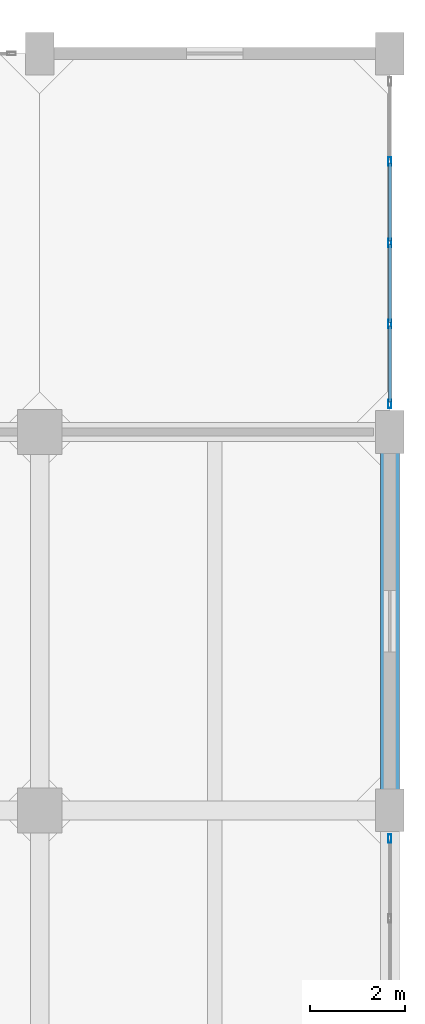
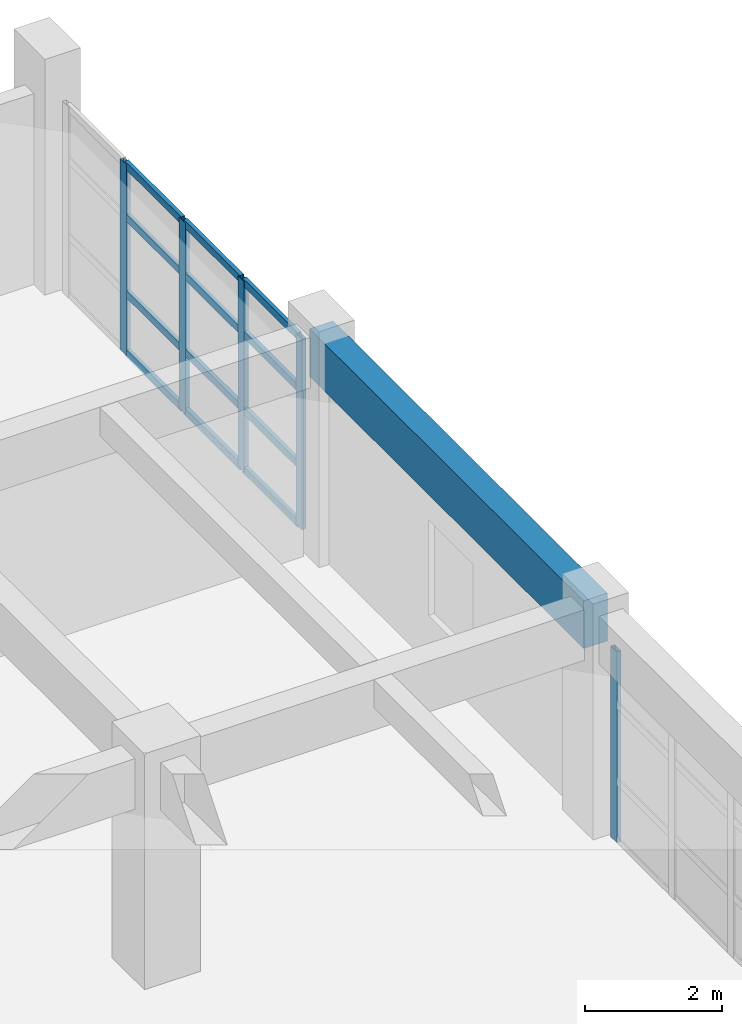
# One storey, part 19 of 35: 17 members, 1 beam, 2 elements without a shape of their own.
"""IFC4 building model written with IfcOpenShell, lengths in metres."""

import ifcopenshell
import ifcopenshell.guid

model = None  # the IFC model being written
_history = None  # IfcOwnerHistory: only IFC2X3 demands one
_inside = {}  # id of a spatial element -> (the spatial element, [elements in it])
_under = {}  # id of a project, library or spatial element -> (it, [spatial elements below it])
_declared = {}  # id of a project -> (the project, [libraries it declares])
_typed = {}  # id of a type object -> (the type object, [elements of that type])
_made_of = {}  # id of a material, layer set ... -> (it, [elements and type objects made of it])


def new_model(schema):
    """Start an empty IFC model of exactly this schema.

    Asked for "IFC4X3", IfcOpenShell would pick the latest addendum, in which some entities
    have other attributes; the version numbers below select the first issue.
    IFC2X3 requires an IfcOwnerHistory on every rooted entity: one is made here for all.
    """
    global model, _history
    if schema == "IFC4X3":
        model = ifcopenshell.file(schema_version=(4, 3, 0, 0))
    else:
        model = ifcopenshell.file(schema=schema)
    _inside.clear()
    _under.clear()
    _declared.clear()
    _typed.clear()
    _made_of.clear()
    _history = None
    if model.schema == "IFC2X3":
        org = make("IfcOrganization", Name="unknown")
        user = make(
            "IfcPersonAndOrganization",
            ThePerson=make("IfcPerson", FamilyName="unknown"),
            TheOrganization=org,
        )
        app = make(
            "IfcApplication",
            ApplicationDeveloper=org,
            Version="unknown",
            ApplicationFullName="unknown",
            ApplicationIdentifier="unknown",
        )
        _history = make(
            "IfcOwnerHistory",
            OwningUser=user,
            OwningApplication=app,
            ChangeAction="ADDED",
            CreationDate=0,
        )
    return model


def make(cls, **values):
    """One entity of the class cls with the attributes given. An attribute that is None is left unset."""
    return model.create_entity(
        cls, **{name: value for name, value in values.items() if value is not None}
    )


def rooted(cls, **values):
    """An entity with a GlobalId (a new one), such as an element, a storey or a relation."""
    return make(cls, GlobalId=ifcopenshell.guid.new(), OwnerHistory=_history, **values)


def si_unit(unit_type, name, prefix=None):
    """IfcSIUnit, for example si_unit("LENGTHUNIT", "METRE", prefix="MILLI")."""
    return make("IfcSIUnit", UnitType=unit_type, Prefix=prefix, Name=name)


def assignment(units):
    """IfcUnitAssignment: the units of a project."""
    return None if units is None else make("IfcUnitAssignment", Units=units)


def point(xyz):
    """IfcCartesianPoint."""
    return None if xyz is None else make("IfcCartesianPoint", Coordinates=xyz)


def direction(xyz):
    """IfcDirection."""
    return None if xyz is None else make("IfcDirection", DirectionRatios=xyz)


def frame(location, z_axis=None, x_axis=None):
    """IfcAxis2Placement3D, a coordinate frame: its origin and axes. An axis left out is left unset."""
    return make(
        "IfcAxis2Placement3D",
        Location=point(location),
        Axis=direction(z_axis),
        RefDirection=direction(x_axis),
    )


def frame_2d(location, x_axis=None):
    """IfcAxis2Placement2D, a coordinate frame in the plane: its origin and x axis."""
    return make(
        "IfcAxis2Placement2D", Location=point(location), RefDirection=direction(x_axis)
    )


def origin():
    """The frame at (0, 0, 0) with its axes left unset."""
    return frame((0.0, 0.0, 0.0))


def origin_2d():
    """The frame at (0, 0) in the plane with its x axis left unset."""
    return frame_2d((0.0, 0.0))


def place(relative_to, where):
    """IfcLocalPlacement: puts the frame where relative to a parent placement (None: the world)."""
    return make(
        "IfcLocalPlacement", PlacementRelTo=relative_to, RelativePlacement=where
    )


def context(
    kind, dimensions, precision=None, world=None, true_north=None, identifier=None
):
    """IfcGeometricRepresentationContext, for example the 3D "Model" context."""
    return make(
        "IfcGeometricRepresentationContext",
        ContextIdentifier=identifier,
        ContextType=kind,
        CoordinateSpaceDimension=dimensions,
        Precision=precision,
        WorldCoordinateSystem=world,
        TrueNorth=true_north,
    )


def subcontext(parent, identifier, kind, view, scale=None):
    """IfcGeometricRepresentationSubContext, for example "Body" below "Model"."""
    return make(
        "IfcGeometricRepresentationSubContext",
        ContextIdentifier=identifier,
        ContextType=kind,
        ParentContext=parent,
        TargetScale=scale,
        TargetView=view,
    )


def project(units=None, contexts=None):
    """IfcProject with its units and contexts."""
    return rooted(
        "IfcProject",
        Name="project",
        RepresentationContexts=contexts,
        UnitsInContext=assignment(units),
    )


def spatial(cls, under=None, at=None, **own):
    """A site, building, storey or space (cls), placed at a placement, below another one or the project."""
    s = rooted(cls, ObjectPlacement=at, **own)
    if under is not None:
        _under.setdefault(under.id(), (under, []))[1].append(s)
    return s


def profile(cls, at=None, kind="AREA", **sizes):
    """A parametric profile (cls). Its sizes go by their IFC names, for example OverallWidth=200.0."""
    return make(cls, ProfileType=kind, Position=at, **sizes)


def rectangle(**sizes):
    """IfcRectangleProfileDef."""
    return profile("IfcRectangleProfileDef", **sizes)


def hollow_rectangle(**sizes):
    """IfcRectangleHollowProfileDef."""
    return profile("IfcRectangleHollowProfileDef", **sizes)


def extrude(swept, where, along, depth):
    """IfcExtrudedAreaSolid: the profile swept, set in the frame where, extruded along a direction by depth."""
    return make(
        "IfcExtrudedAreaSolid",
        SweptArea=swept,
        Position=where,
        ExtrudedDirection=direction(along),
        Depth=depth,
    )


def shape(context_of_items, identifier, shape_type, items):
    """IfcShapeRepresentation: the items that make up one representation, for example the "Body"."""
    return make(
        "IfcShapeRepresentation",
        ContextOfItems=context_of_items,
        RepresentationIdentifier=identifier,
        RepresentationType=shape_type,
        Items=items,
    )


def material(Name=None, Category=None):
    """IfcMaterial."""
    return make("IfcMaterial", Name=Name, Category=Category)


def layer(
    of_material, thickness, ventilated=None, Name=None, Category=None, Priority=None
):
    """IfcMaterialLayer: one layer of a wall or slab, of a material (None: an air gap)."""
    return make(
        "IfcMaterialLayer",
        Material=of_material,
        LayerThickness=thickness,
        IsVentilated=ventilated,
        Name=Name,
        Category=Category,
        Priority=Priority,
    )


def layer_set(layers, Name=None):
    """IfcMaterialLayerSet."""
    return make("IfcMaterialLayerSet", MaterialLayers=layers, LayerSetName=Name)


def material_profile(
    of_material, cross_section, Name=None, Category=None, Priority=None
):
    """IfcMaterialProfile: a cross section and its material."""
    return make(
        "IfcMaterialProfile",
        Name=Name,
        Material=of_material,
        Profile=cross_section,
        Priority=Priority,
        Category=Category,
    )


def profile_set(profiles, Name=None, composite=None):
    """IfcMaterialProfileSet."""
    return make(
        "IfcMaterialProfileSet",
        Name=Name,
        MaterialProfiles=profiles,
        CompositeProfile=composite,
    )


def made_of(thing, what):
    """Note that an element or type object is made of a material, layer set ...; save() writes the relation."""
    if what is not None:
        _made_of.setdefault(what.id(), (what, []))[1].append(thing)
    return thing


def type_object(cls, material=None, **own):
    """A type object (cls), such as IfcWallType, which elements share."""
    return made_of(rooted(cls, **own), material)


def element(
    cls,
    number,
    at=None,
    inside=None,
    cuts=None,
    type_object=None,
    material=None,
    context=None,
    identifier="Body",
    shape_type=None,
    held_by="IfcProductDefinitionShape",
    body=None,
    shapes=None,
    **own,
):
    """One element of the class cls, such as IfcWall. Its Tag is "e" and its number.

    at: its placement. inside: the storey or other place that contains it. cuts: it is an
    opening in that element (IfcRelVoidsElement). A single representation is given by context,
    identifier, shape_type and body (its items); several are given by shapes. held_by: the class
    of the entity that holds the representations. save() writes the other relations.
    """
    e = rooted(cls, Tag="e%d" % number, ObjectPlacement=at, **own)
    if body is not None:
        shapes = [shape(context, identifier, shape_type, body)]
    if shapes is not None:
        e.Representation = make(held_by, Representations=shapes)
    if inside is not None:
        _inside.setdefault(inside.id(), (inside, []))[1].append(e)
    if cuts is not None:
        rooted(
            "IfcRelVoidsElement", RelatingBuildingElement=cuts, RelatedOpeningElement=e
        )
    if type_object is not None:
        _typed.setdefault(type_object.id(), (type_object, []))[1].append(e)
    return made_of(e, material)


def aggregate(whole, parts):
    """IfcRelAggregates: a whole, such as a stair, and the parts it consists of."""
    return rooted("IfcRelAggregates", RelatingObject=whole, RelatedObjects=parts)


def save(model, path):
    """Write the relations noted so far, then the file.

    IfcRelAggregates (storeys below a building ...), IfcRelContainedInSpatialStructure (elements
    in a storey), IfcRelDefinesByType, IfcRelAssociatesMaterial and IfcRelDeclares: one each for
    every whole, place, type object, material and project.
    """
    for whole, parts in _under.values():
        aggregate(whole, parts)
    for where, things in _inside.values():
        rooted(
            "IfcRelContainedInSpatialStructure",
            RelatedElements=things,
            RelatingStructure=where,
        )
    for kind, things in _typed.values():
        rooted("IfcRelDefinesByType", RelatedObjects=things, RelatingType=kind)
    for what, things in _made_of.values():
        rooted("IfcRelAssociatesMaterial", RelatedObjects=things, RelatingMaterial=what)
    for by, libraries in _declared.values():
        rooted("IfcRelDeclares", RelatingContext=by, RelatedDefinitions=libraries)
    model.write(path)


model = new_model("IFC4")

# Units and contexts
model_context = context("Model", 3, precision=1e-05, world=origin(), true_north=direction((0.0, 1.0)))
body_context = subcontext(model_context, "Body", "Model", "MODEL_VIEW")
ifc_project = project(units=[si_unit("LENGTHUNIT", "METRE"), si_unit("AREAUNIT", "SQUARE_METRE"), si_unit("VOLUMEUNIT", "CUBIC_METRE"), si_unit("PLANEANGLEUNIT", "RADIAN"), si_unit("MASSUNIT", "GRAM", prefix="KILO")], contexts=[model_context])

# Site, building, storey
site_placement = place(None, origin())
site = spatial("IfcSite", under=ifc_project, at=site_placement, CompositionType="ELEMENT")
building_placement = place(site_placement, origin())
building = spatial("IfcBuilding", under=site, at=building_placement, Name="Canggui Botanical Conservatory", CompositionType="ELEMENT")
storey_placement = place(building_placement, frame((0.0, 0.0, 15.0)))
storey = spatial("IfcBuildingStorey", under=building, at=storey_placement, Name="L04", CompositionType="ELEMENT", Elevation=15.0)

# Beam
ifc_material_1 = material(Name="Concrete C35", Category="concrete")
ifc_material_profile_1 = material_profile(ifc_material_1, rectangle(XDim=0.39990234375, YDim=0.85009765625, at=origin_2d()), Name="RB 400x850")
ifc_profile_set_1 = profile_set([ifc_material_profile_1], Name="Concrete C35")
beam_type = type_object("IfcBeamType", Name="BM-KL08", PredefinedType="BEAM", material=ifc_profile_set_1)
beam_placement = place(storey_placement, frame((177.39990234375, 66.0, 3.52490234375), z_axis=(0.0, 1.0, 0.0), x_axis=(-1.0, 0.0, 0.0)))
element("IfcBeam", 1, at=beam_placement, inside=storey, type_object=beam_type, Name="Frame Girder L04 X178-6", PredefinedType="BEAM", context=body_context, shape_type="SweptSolid", body=[
    extrude(rectangle(XDim=0.39990234375, YDim=0.85009765625, at=origin_2d()), origin(), (0.0, 0.0, 1.0), 8.0),
])

# Curtain wall, members
ifc_material_2 = material(Name="Thermally Broken Aluminium", Category="aluminium")
ifc_layer = layer(ifc_material_2, 0.179931640625, Name="Thermally Broken Aluminium", Category="aluminium")
ifc_layer_set = layer_set([ifc_layer], Name="Thermally Broken Aluminium")
curtain_wall_type = type_object("IfcCurtainWallType", Name="CW-UNIT-A", PredefinedType="USERDEFINED", material=ifc_layer_set)
curtain_wall_1_placement = place(storey_placement, origin())
curtain_wall_1 = element("IfcCurtainWall", 2, at=curtain_wall_1_placement, inside=storey, type_object=curtain_wall_type, Name="Facade Curtain Wall CW-TWR-L04-18", ObjectType="UNITISED CURTAIN WALL", PredefinedType="USERDEFINED")
ifc_material_profile_2 = material_profile(ifc_material_2, hollow_rectangle(XDim=0.070068359375, YDim=0.179931640625, WallThickness=0.00390625, at=origin_2d()), Name="CWM 70x180x4")
ifc_profile_set_2 = profile_set([ifc_material_profile_2], Name="Thermally Broken Aluminium")
member_type_1 = type_object("IfcMemberType", Name="CWM-01", PredefinedType="MULLION", material=ifc_profile_set_2)
member_1_placement = place(storey_placement, frame((177.39990234375, 79.719970703125, 0.0), z_axis=(0.0, 0.0, 1.0), x_axis=(1.0, 0.0, 0.0)))
member_1 = element("IfcMember", 3, at=member_1_placement, type_object=member_type_1, Name="CW-01 mullion 2", PredefinedType="MULLION", context=body_context, shape_type="SweptSolid", body=[
    extrude(hollow_rectangle(XDim=0.070068359375, YDim=0.179931640625, WallThickness=0.00390625, at=origin_2d()), origin(), (0.0, 0.0, 1.0), 3.39990234375),
])
member_2_placement = place(storey_placement, frame((177.39990234375, 78.0, 0.0), z_axis=(0.0, 0.0, 1.0), x_axis=(1.0, 0.0, 0.0)))
member_2 = element("IfcMember", 4, at=member_2_placement, type_object=member_type_1, Name="CW-01 mullion 3", PredefinedType="MULLION", context=body_context, shape_type="SweptSolid", body=[
    extrude(hollow_rectangle(XDim=0.070068359375, YDim=0.179931640625, WallThickness=0.00390625, at=origin_2d()), origin(), (0.0, 0.0, 1.0), 3.39990234375),
])
member_3_placement = place(storey_placement, frame((177.39990234375, 76.280029296875, 0.0), z_axis=(0.0, 0.0, 1.0), x_axis=(1.0, 0.0, 0.0)))
member_3 = element("IfcMember", 5, at=member_3_placement, type_object=member_type_1, Name="CW-01 mullion 4", PredefinedType="MULLION", context=body_context, shape_type="SweptSolid", body=[
    extrude(hollow_rectangle(XDim=0.070068359375, YDim=0.179931640625, WallThickness=0.00390625, at=origin_2d()), origin(), (0.0, 0.0, 1.0), 3.39990234375),
])
member_4_placement = place(storey_placement, frame((177.39990234375, 74.594970703125, 0.0), z_axis=(0.0, 0.0, 1.0), x_axis=(1.0, 0.0, 0.0)))
member_4 = element("IfcMember", 6, at=member_4_placement, type_object=member_type_1, Name="CW-01 mullion 5", PredefinedType="MULLION", context=body_context, shape_type="SweptSolid", body=[
    extrude(hollow_rectangle(XDim=0.070068359375, YDim=0.179931640625, WallThickness=0.00390625, at=origin_2d()), origin(), (0.0, 0.0, 1.0), 3.39990234375),
])

# Curtain wall, member
curtain_wall_2_placement = place(storey_placement, origin())
curtain_wall_2 = element("IfcCurtainWall", 7, at=curtain_wall_2_placement, inside=storey, type_object=curtain_wall_type, Name="Facade Curtain Wall CW-TWR-L04-20", ObjectType="UNITISED CURTAIN WALL", PredefinedType="USERDEFINED")
member_5_placement = place(storey_placement, frame((177.39990234375, 65.405029296875, 0.0), z_axis=(0.0, 0.0, 1.0), x_axis=(1.0, 0.0, 0.0)))
member_5 = element("IfcMember", 8, at=member_5_placement, type_object=member_type_1, Name="CW-01 mullion 1", PredefinedType="MULLION", context=body_context, shape_type="SweptSolid", body=[
    extrude(hollow_rectangle(XDim=0.070068359375, YDim=0.179931640625, WallThickness=0.00390625, at=origin_2d()), origin(), (0.0, 0.0, 1.0), 3.39990234375),
])
aggregate(curtain_wall_2, [member_5])

# Member
ifc_material_profile_3 = material_profile(ifc_material_2, hollow_rectangle(XDim=0.06494140625, YDim=0.1298828125, WallThickness=0.00341796875, at=origin_2d()), Name="CWT 65x130x3.5")
ifc_profile_set_3 = profile_set([ifc_material_profile_3], Name="Thermally Broken Aluminium")
member_type_2 = type_object("IfcMemberType", Name="CWT-01", PredefinedType="USERDEFINED", material=ifc_profile_set_3)
member_6_placement = place(storey_placement, frame((177.39990234375, 79.68505859375, 0.032470703125), z_axis=(0.0, -1.0, 0.0), x_axis=(1.0, 0.0, 0.0)))
member_6 = element("IfcMember", 9, at=member_6_placement, type_object=member_type_2, Name="CW-01 transom 2.1", ObjectType="TRANSOM", PredefinedType="USERDEFINED", context=body_context, shape_type="SweptSolid", body=[
    extrude(hollow_rectangle(XDim=0.06494140625, YDim=0.1298828125, WallThickness=0.00341796875, at=origin_2d()), origin(), (0.0, 0.0, 1.0), 1.650146484375),
])

member_7_placement = place(storey_placement, frame((177.39990234375, 79.68505859375, 1.087890625), z_axis=(0.0, -1.0, 0.0), x_axis=(1.0, 0.0, 0.0)))
member_7 = element("IfcMember", 10, at=member_7_placement, type_object=member_type_2, Name="CW-01 transom 2.2", ObjectType="TRANSOM", PredefinedType="USERDEFINED", context=body_context, shape_type="SweptSolid", body=[
    extrude(hollow_rectangle(XDim=0.06494140625, YDim=0.1298828125, WallThickness=0.00341796875, at=origin_2d()), origin(), (0.0, 0.0, 1.0), 1.650146484375),
])

member_8_placement = place(storey_placement, frame((177.39990234375, 79.68505859375, 2.447998046875), z_axis=(0.0, -1.0, 0.0), x_axis=(1.0, 0.0, 0.0)))
member_8 = element("IfcMember", 11, at=member_8_placement, type_object=member_type_2, Name="CW-01 transom 2.3", ObjectType="TRANSOM", PredefinedType="USERDEFINED", context=body_context, shape_type="SweptSolid", body=[
    extrude(hollow_rectangle(XDim=0.06494140625, YDim=0.1298828125, WallThickness=0.00341796875, at=origin_2d()), origin(), (0.0, 0.0, 1.0), 1.650146484375),
])

member_9_placement = place(storey_placement, frame((177.39990234375, 79.68505859375, 3.367431640625), z_axis=(0.0, -1.0, 0.0), x_axis=(1.0, 0.0, 0.0)))
member_9 = element("IfcMember", 12, at=member_9_placement, type_object=member_type_2, Name="CW-01 transom 2.4", ObjectType="TRANSOM", PredefinedType="USERDEFINED", context=body_context, shape_type="SweptSolid", body=[
    extrude(hollow_rectangle(XDim=0.06494140625, YDim=0.1298828125, WallThickness=0.00341796875, at=origin_2d()), origin(), (0.0, 0.0, 1.0), 1.650146484375),
])

member_10_placement = place(storey_placement, frame((177.39990234375, 77.965087890625, 0.032470703125), z_axis=(0.0, -1.0, 0.0), x_axis=(1.0, 0.0, 0.0)))
member_10 = element("IfcMember", 13, at=member_10_placement, type_object=member_type_2, Name="CW-01 transom 3.1", ObjectType="TRANSOM", PredefinedType="USERDEFINED", context=body_context, shape_type="SweptSolid", body=[
    extrude(hollow_rectangle(XDim=0.06494140625, YDim=0.1298828125, WallThickness=0.00341796875, at=origin_2d()), origin(), (0.0, 0.0, 1.0), 1.650146484375),
])

member_11_placement = place(storey_placement, frame((177.39990234375, 77.965087890625, 1.087890625), z_axis=(0.0, -1.0, 0.0), x_axis=(1.0, 0.0, 0.0)))
member_11 = element("IfcMember", 14, at=member_11_placement, type_object=member_type_2, Name="CW-01 transom 3.2", ObjectType="TRANSOM", PredefinedType="USERDEFINED", context=body_context, shape_type="SweptSolid", body=[
    extrude(hollow_rectangle(XDim=0.06494140625, YDim=0.1298828125, WallThickness=0.00341796875, at=origin_2d()), origin(), (0.0, 0.0, 1.0), 1.650146484375),
])

member_12_placement = place(storey_placement, frame((177.39990234375, 77.965087890625, 2.447998046875), z_axis=(0.0, -1.0, 0.0), x_axis=(1.0, 0.0, 0.0)))
member_12 = element("IfcMember", 15, at=member_12_placement, type_object=member_type_2, Name="CW-01 transom 3.3", ObjectType="TRANSOM", PredefinedType="USERDEFINED", context=body_context, shape_type="SweptSolid", body=[
    extrude(hollow_rectangle(XDim=0.06494140625, YDim=0.1298828125, WallThickness=0.00341796875, at=origin_2d()), origin(), (0.0, 0.0, 1.0), 1.650146484375),
])

member_13_placement = place(storey_placement, frame((177.39990234375, 77.965087890625, 3.367431640625), z_axis=(0.0, -1.0, 0.0), x_axis=(1.0, 0.0, 0.0)))
member_13 = element("IfcMember", 16, at=member_13_placement, type_object=member_type_2, Name="CW-01 transom 3.4", ObjectType="TRANSOM", PredefinedType="USERDEFINED", context=body_context, shape_type="SweptSolid", body=[
    extrude(hollow_rectangle(XDim=0.06494140625, YDim=0.1298828125, WallThickness=0.00341796875, at=origin_2d()), origin(), (0.0, 0.0, 1.0), 1.650146484375),
])

member_14_placement = place(storey_placement, frame((177.39990234375, 76.2451171875, 0.032470703125), z_axis=(0.0, -1.0, 0.0), x_axis=(1.0, 0.0, 0.0)))
member_14 = element("IfcMember", 17, at=member_14_placement, type_object=member_type_2, Name="CW-01 transom 4.1", ObjectType="TRANSOM", PredefinedType="USERDEFINED", context=body_context, shape_type="SweptSolid", body=[
    extrude(hollow_rectangle(XDim=0.06494140625, YDim=0.1298828125, WallThickness=0.00341796875, at=origin_2d()), origin(), (0.0, 0.0, 1.0), 1.615234375),
])

member_15_placement = place(storey_placement, frame((177.39990234375, 76.2451171875, 1.087890625), z_axis=(0.0, -1.0, 0.0), x_axis=(1.0, 0.0, 0.0)))
member_15 = element("IfcMember", 18, at=member_15_placement, type_object=member_type_2, Name="CW-01 transom 4.2", ObjectType="TRANSOM", PredefinedType="USERDEFINED", context=body_context, shape_type="SweptSolid", body=[
    extrude(hollow_rectangle(XDim=0.06494140625, YDim=0.1298828125, WallThickness=0.00341796875, at=origin_2d()), origin(), (0.0, 0.0, 1.0), 1.615234375),
])

member_16_placement = place(storey_placement, frame((177.39990234375, 76.2451171875, 2.447998046875), z_axis=(0.0, -1.0, 0.0), x_axis=(1.0, 0.0, 0.0)))
member_16 = element("IfcMember", 19, at=member_16_placement, type_object=member_type_2, Name="CW-01 transom 4.3", ObjectType="TRANSOM", PredefinedType="USERDEFINED", context=body_context, shape_type="SweptSolid", body=[
    extrude(hollow_rectangle(XDim=0.06494140625, YDim=0.1298828125, WallThickness=0.00341796875, at=origin_2d()), origin(), (0.0, 0.0, 1.0), 1.615234375),
])

member_17_placement = place(storey_placement, frame((177.39990234375, 76.2451171875, 3.367431640625), z_axis=(0.0, -1.0, 0.0), x_axis=(1.0, 0.0, 0.0)))
member_17 = element("IfcMember", 20, at=member_17_placement, type_object=member_type_2, Name="CW-01 transom 4.4", ObjectType="TRANSOM", PredefinedType="USERDEFINED", context=body_context, shape_type="SweptSolid", body=[
    extrude(hollow_rectangle(XDim=0.06494140625, YDim=0.1298828125, WallThickness=0.00341796875, at=origin_2d()), origin(), (0.0, 0.0, 1.0), 1.615234375),
])

aggregate(curtain_wall_1, [member_1, member_2, member_3, member_4, member_6, member_7, member_8, member_9, member_10, member_11, member_12, member_13, member_14, member_15, member_16, member_17])

save(model, "model.ifc")
